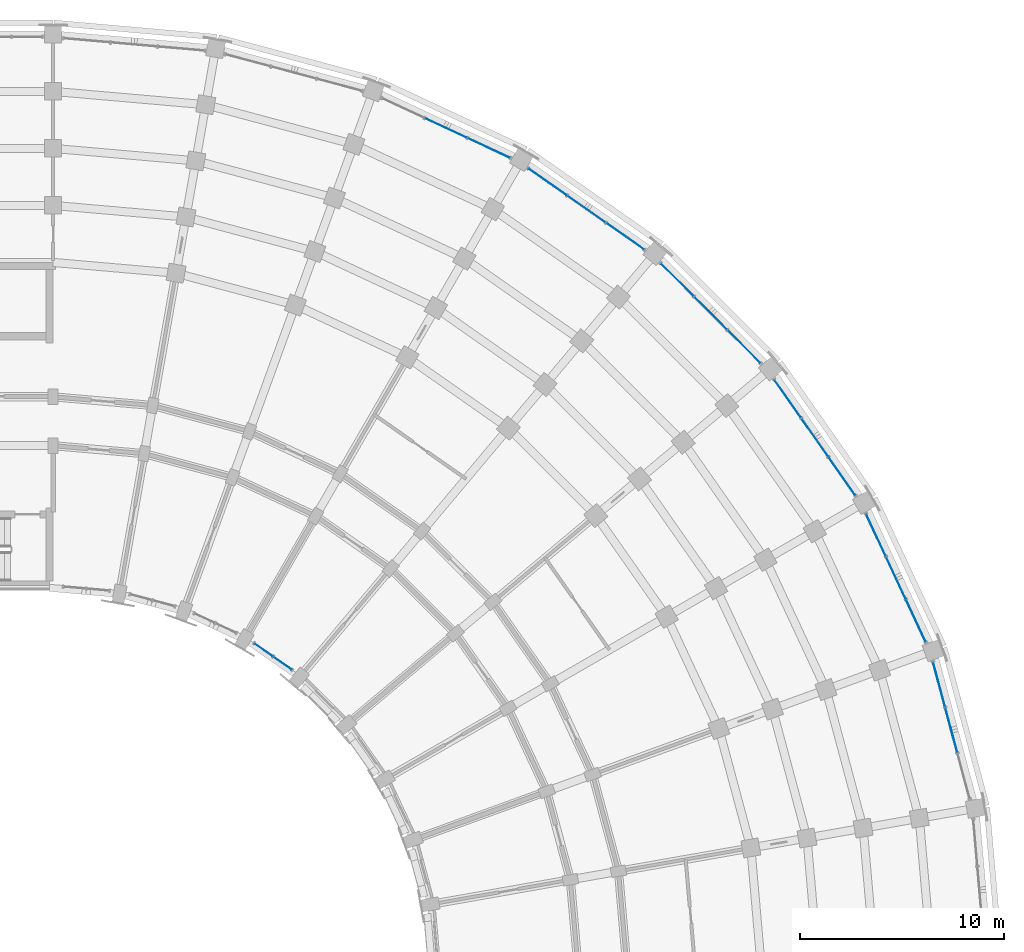
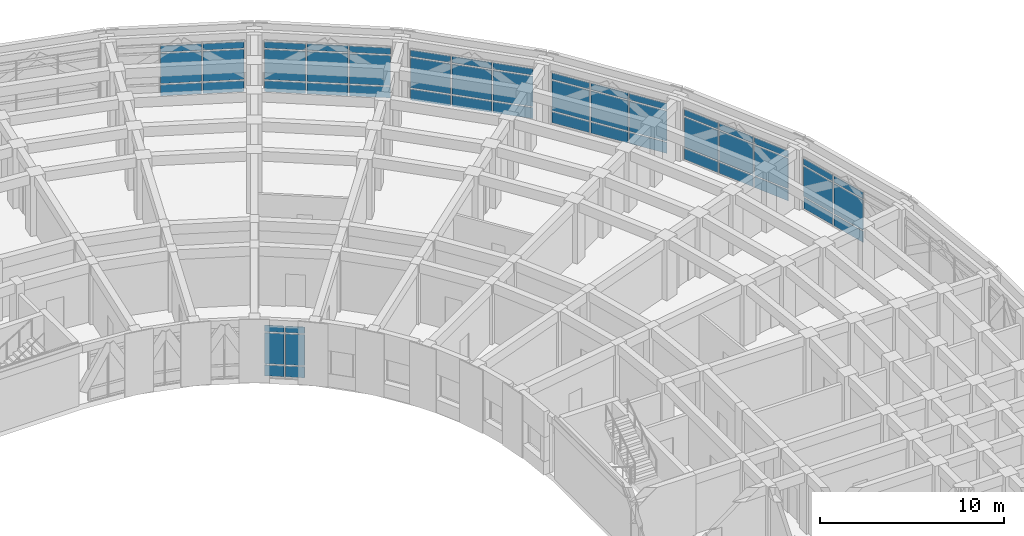
# One storey, part 54 of 97: 54 plates, 7 elements without a shape of their own.
"""IFC4 building model written with IfcOpenShell, lengths in metres."""

from ifc_helpers import new_model, si_unit, direction, frame, origin, origin_2d, place, context, subcontext, project, spatial, rectangle, extrude, material, layer, layer_set, type_object, element, aggregate, save


model = new_model("IFC4")

# Units and contexts
model_context = context("Model", 3, precision=1e-05, world=origin(), true_north=direction((0.0, 1.0)))
body_context = subcontext(model_context, "Body", "Model", "MODEL_VIEW")
ifc_project = project(units=[si_unit("LENGTHUNIT", "METRE"), si_unit("AREAUNIT", "SQUARE_METRE"), si_unit("VOLUMEUNIT", "CUBIC_METRE"), si_unit("PLANEANGLEUNIT", "RADIAN"), si_unit("MASSUNIT", "GRAM", prefix="KILO")], contexts=[model_context])

# Site, building, storey
site_placement = place(None, origin())
site = spatial("IfcSite", under=ifc_project, at=site_placement, CompositionType="ELEMENT")
building_placement = place(site_placement, origin())
building = spatial("IfcBuilding", under=site, at=building_placement, Name="Kiranvali Square Residences", CompositionType="ELEMENT")
storey_placement = place(building_placement, frame((0.0, 0.0, 4.5)))
storey = spatial("IfcBuildingStorey", under=building, at=storey_placement, Name="L01", CompositionType="ELEMENT", Elevation=4.5)

# Curtain wall, plates
ifc_material_1 = material(Name="Anodised bronze aluminium framing", Category="aluminium")
curtain_wall_type = type_object("IfcCurtainWallType", Name="CW-RET-SHOP", PredefinedType="USERDEFINED", material=ifc_material_1)
curtain_wall_1_placement = place(storey_placement, origin())
curtain_wall_1 = element("IfcCurtainWall", 1, at=curtain_wall_1_placement, inside=storey, type_object=curtain_wall_type, Name="Block B L01 rounded-corner arcade curtain wall 3", ObjectType="CURTAIN WALL", PredefinedType="USERDEFINED")
ifc_material_2 = material(Name="Solar-control low-e double glazing", Category="glass")
ifc_layer_1 = layer(ifc_material_2, 0.028076171875)
ifc_layer_set_1 = layer_set([ifc_layer_1], Name="Solar-control low-e double glazing")
plate_type_1 = type_object("IfcPlateType", Name="PLT-CW-GLZ", PredefinedType="CURTAIN_PANEL", material=ifc_layer_set_1)
plate_1_placement = place(storey_placement, frame((139.10302734375, 129.195556640625, 0.889892578125), z_axis=(0.0, 0.0, 1.0), x_axis=(0.906307787037, -0.422618261741, 0.0)))
plate_1 = element("IfcPlate", 2, at=plate_1_placement, type_object=plate_type_1, Name="CW-B-L01-CRV-02 glazed panel 2.2", PredefinedType="CURTAIN_PANEL", context=body_context, shape_type="SweptSolid", body=[
    extrude(rectangle(XDim=2.239501953125, YDim=0.028076171875, at=origin_2d()), origin(), (0.0, 0.0, 1.0), 2.0),
])
plate_2_placement = place(storey_placement, frame((139.10302734375, 129.195556640625, 2.97021484375), z_axis=(0.0, 0.0, 1.0), x_axis=(0.906307787037, -0.422618261741, 0.0)))
plate_2 = element("IfcPlate", 3, at=plate_2_placement, type_object=plate_type_1, Name="CW-B-L01-CRV-02 glazed panel 2.3", PredefinedType="CURTAIN_PANEL", context=body_context, shape_type="SweptSolid", body=[
    extrude(rectangle(XDim=2.239501953125, YDim=0.028076171875, at=origin_2d()), origin(), (0.0, 0.0, 1.0), 0.429931640625),
])
plate_3_placement = place(storey_placement, frame((141.205078125, 128.21533203125, 0.889892578125), z_axis=(0.0, 0.0, 1.0), x_axis=(0.906307787037, -0.422618261741, 0.0)))
plate_3 = element("IfcPlate", 4, at=plate_3_placement, type_object=plate_type_1, Name="CW-B-L01-CRV-02 glazed panel 3.2", PredefinedType="CURTAIN_PANEL", context=body_context, shape_type="SweptSolid", body=[
    extrude(rectangle(XDim=2.239501953125, YDim=0.028076171875, at=origin_2d()), origin(), (0.0, 0.0, 1.0), 2.0),
])
plate_4_placement = place(storey_placement, frame((141.205078125, 128.21533203125, 2.97021484375), z_axis=(0.0, 0.0, 1.0), x_axis=(0.906307787037, -0.422618261741, 0.0)))
plate_4 = element("IfcPlate", 5, at=plate_4_placement, type_object=plate_type_1, Name="CW-B-L01-CRV-02 glazed panel 3.3", PredefinedType="CURTAIN_PANEL", context=body_context, shape_type="SweptSolid", body=[
    extrude(rectangle(XDim=2.239501953125, YDim=0.028076171875, at=origin_2d()), origin(), (0.0, 0.0, 1.0), 0.429931640625),
])

curtain_wall_2_placement = place(storey_placement, origin())
curtain_wall_2 = element("IfcCurtainWall", 6, at=curtain_wall_2_placement, inside=storey, type_object=curtain_wall_type, Name="Block B L01 rounded-corner arcade curtain wall 4", ObjectType="CURTAIN WALL", PredefinedType="USERDEFINED")
plate_5_placement = place(storey_placement, frame((144.09814453125, 126.545166015625, 0.889892578125), z_axis=(0.0, 0.0, 1.0), x_axis=(0.819152044289, -0.573576436351, 0.0)))
plate_5 = element("IfcPlate", 7, at=plate_5_placement, type_object=plate_type_1, Name="CW-B-L01-CRV-03 glazed panel 1.2", PredefinedType="CURTAIN_PANEL", context=body_context, shape_type="SweptSolid", body=[
    extrude(rectangle(XDim=2.239501953125, YDim=0.028076171875, at=origin_2d()), origin(), (0.0, 0.0, 1.0), 2.0),
])
plate_6_placement = place(storey_placement, frame((144.09814453125, 126.545166015625, 2.97021484375), z_axis=(0.0, 0.0, 1.0), x_axis=(0.819152044289, -0.573576436351, 0.0)))
plate_6 = element("IfcPlate", 8, at=plate_6_placement, type_object=plate_type_1, Name="CW-B-L01-CRV-03 glazed panel 1.3", PredefinedType="CURTAIN_PANEL", context=body_context, shape_type="SweptSolid", body=[
    extrude(rectangle(XDim=2.239501953125, YDim=0.028076171875, at=origin_2d()), origin(), (0.0, 0.0, 1.0), 0.429931640625),
])
plate_7_placement = place(storey_placement, frame((145.998046875, 125.21484375, 0.889892578125), z_axis=(0.0, 0.0, 1.0), x_axis=(0.819152044289, -0.573576436351, 0.0)))
plate_7 = element("IfcPlate", 9, at=plate_7_placement, type_object=plate_type_1, Name="CW-B-L01-CRV-03 glazed panel 2.2", PredefinedType="CURTAIN_PANEL", context=body_context, shape_type="SweptSolid", body=[
    extrude(rectangle(XDim=2.239501953125, YDim=0.028076171875, at=origin_2d()), origin(), (0.0, 0.0, 1.0), 2.0),
])
plate_8_placement = place(storey_placement, frame((145.998046875, 125.21484375, 2.97021484375), z_axis=(0.0, 0.0, 1.0), x_axis=(0.819152044289, -0.573576436351, 0.0)))
plate_8 = element("IfcPlate", 10, at=plate_8_placement, type_object=plate_type_1, Name="CW-B-L01-CRV-03 glazed panel 2.3", PredefinedType="CURTAIN_PANEL", context=body_context, shape_type="SweptSolid", body=[
    extrude(rectangle(XDim=2.239501953125, YDim=0.028076171875, at=origin_2d()), origin(), (0.0, 0.0, 1.0), 0.429931640625),
])
plate_9_placement = place(storey_placement, frame((147.89794921875, 123.88427734375, 0.889892578125), z_axis=(0.0, 0.0, 1.0), x_axis=(0.819152044289, -0.573576436351, 0.0)))
plate_9 = element("IfcPlate", 11, at=plate_9_placement, type_object=plate_type_1, Name="CW-B-L01-CRV-03 glazed panel 3.2", PredefinedType="CURTAIN_PANEL", context=body_context, shape_type="SweptSolid", body=[
    extrude(rectangle(XDim=2.239501953125, YDim=0.028076171875, at=origin_2d()), origin(), (0.0, 0.0, 1.0), 2.0),
])
plate_10_placement = place(storey_placement, frame((147.89794921875, 123.88427734375, 2.97021484375), z_axis=(0.0, 0.0, 1.0), x_axis=(0.819152044289, -0.573576436351, 0.0)))
plate_10 = element("IfcPlate", 12, at=plate_10_placement, type_object=plate_type_1, Name="CW-B-L01-CRV-03 glazed panel 3.3", PredefinedType="CURTAIN_PANEL", context=body_context, shape_type="SweptSolid", body=[
    extrude(rectangle(XDim=2.239501953125, YDim=0.028076171875, at=origin_2d()), origin(), (0.0, 0.0, 1.0), 0.429931640625),
])

curtain_wall_3_placement = place(storey_placement, origin())
curtain_wall_3 = element("IfcCurtainWall", 13, at=curtain_wall_3_placement, inside=storey, type_object=curtain_wall_type, Name="Block B L01 rounded-corner arcade curtain wall 5", ObjectType="CURTAIN WALL", PredefinedType="USERDEFINED")
plate_11_placement = place(storey_placement, frame((150.45703125, 121.737060546875, 0.889892578125), z_axis=(0.0, 0.0, 1.0), x_axis=(0.707106781187, -0.707106781187, 0.0)))
plate_11 = element("IfcPlate", 14, at=plate_11_placement, type_object=plate_type_1, Name="CW-B-L01-CRV-04 glazed panel 1.2", PredefinedType="CURTAIN_PANEL", context=body_context, shape_type="SweptSolid", body=[
    extrude(rectangle(XDim=2.239501953125, YDim=0.028076171875, at=origin_2d()), origin(), (0.0, 0.0, 1.0), 2.0),
])
plate_12_placement = place(storey_placement, frame((150.45703125, 121.737060546875, 2.97021484375), z_axis=(0.0, 0.0, 1.0), x_axis=(0.707106781187, -0.707106781187, 0.0)))
plate_12 = element("IfcPlate", 15, at=plate_12_placement, type_object=plate_type_1, Name="CW-B-L01-CRV-04 glazed panel 1.3", PredefinedType="CURTAIN_PANEL", context=body_context, shape_type="SweptSolid", body=[
    extrude(rectangle(XDim=2.239501953125, YDim=0.028076171875, at=origin_2d()), origin(), (0.0, 0.0, 1.0), 0.429931640625),
])
plate_13_placement = place(storey_placement, frame((152.09716796875, 120.09716796875, 0.889892578125), z_axis=(0.0, 0.0, 1.0), x_axis=(0.707106781187, -0.707106781187, 0.0)))
plate_13 = element("IfcPlate", 16, at=plate_13_placement, type_object=plate_type_1, Name="CW-B-L01-CRV-04 glazed panel 2.2", PredefinedType="CURTAIN_PANEL", context=body_context, shape_type="SweptSolid", body=[
    extrude(rectangle(XDim=2.239501953125, YDim=0.028076171875, at=origin_2d()), origin(), (0.0, 0.0, 1.0), 2.0),
])
plate_14_placement = place(storey_placement, frame((152.09716796875, 120.09716796875, 2.97021484375), z_axis=(0.0, 0.0, 1.0), x_axis=(0.707106781187, -0.707106781187, 0.0)))
plate_14 = element("IfcPlate", 17, at=plate_14_placement, type_object=plate_type_1, Name="CW-B-L01-CRV-04 glazed panel 2.3", PredefinedType="CURTAIN_PANEL", context=body_context, shape_type="SweptSolid", body=[
    extrude(rectangle(XDim=2.239501953125, YDim=0.028076171875, at=origin_2d()), origin(), (0.0, 0.0, 1.0), 0.429931640625),
])
plate_15_placement = place(storey_placement, frame((153.737060546875, 118.45703125, 0.889892578125), z_axis=(0.0, 0.0, 1.0), x_axis=(0.707106781187, -0.707106781187, 0.0)))
plate_15 = element("IfcPlate", 18, at=plate_15_placement, type_object=plate_type_1, Name="CW-B-L01-CRV-04 glazed panel 3.2", PredefinedType="CURTAIN_PANEL", context=body_context, shape_type="SweptSolid", body=[
    extrude(rectangle(XDim=2.239501953125, YDim=0.028076171875, at=origin_2d()), origin(), (0.0, 0.0, 1.0), 2.0),
])
plate_16_placement = place(storey_placement, frame((153.737060546875, 118.45703125, 2.97021484375), z_axis=(0.0, 0.0, 1.0), x_axis=(0.707106781187, -0.707106781187, 0.0)))
plate_16 = element("IfcPlate", 19, at=plate_16_placement, type_object=plate_type_1, Name="CW-B-L01-CRV-04 glazed panel 3.3", PredefinedType="CURTAIN_PANEL", context=body_context, shape_type="SweptSolid", body=[
    extrude(rectangle(XDim=2.239501953125, YDim=0.028076171875, at=origin_2d()), origin(), (0.0, 0.0, 1.0), 0.429931640625),
])

curtain_wall_4_placement = place(storey_placement, origin())
curtain_wall_4 = element("IfcCurtainWall", 20, at=curtain_wall_4_placement, inside=storey, type_object=curtain_wall_type, Name="Block B L01 rounded-corner arcade curtain wall 6", ObjectType="CURTAIN WALL", PredefinedType="USERDEFINED")
plate_17_placement = place(storey_placement, frame((155.88427734375, 115.89794921875, 0.889892578125), z_axis=(0.0, 0.0, 1.0), x_axis=(0.573576436351, -0.819152044289, 0.0)))
plate_17 = element("IfcPlate", 21, at=plate_17_placement, type_object=plate_type_1, Name="CW-B-L01-CRV-05 glazed panel 1.2", PredefinedType="CURTAIN_PANEL", context=body_context, shape_type="SweptSolid", body=[
    extrude(rectangle(XDim=2.239501953125, YDim=0.028076171875, at=origin_2d()), origin(), (0.0, 0.0, 1.0), 2.0),
])
plate_18_placement = place(storey_placement, frame((155.88427734375, 115.89794921875, 2.97021484375), z_axis=(0.0, 0.0, 1.0), x_axis=(0.573576436351, -0.819152044289, 0.0)))
plate_18 = element("IfcPlate", 22, at=plate_18_placement, type_object=plate_type_1, Name="CW-B-L01-CRV-05 glazed panel 1.3", PredefinedType="CURTAIN_PANEL", context=body_context, shape_type="SweptSolid", body=[
    extrude(rectangle(XDim=2.239501953125, YDim=0.028076171875, at=origin_2d()), origin(), (0.0, 0.0, 1.0), 0.429931640625),
])
plate_19_placement = place(storey_placement, frame((157.21484375, 113.998046875, 0.889892578125), z_axis=(0.0, 0.0, 1.0), x_axis=(0.573576436351, -0.819152044289, 0.0)))
plate_19 = element("IfcPlate", 23, at=plate_19_placement, type_object=plate_type_1, Name="CW-B-L01-CRV-05 glazed panel 2.2", PredefinedType="CURTAIN_PANEL", context=body_context, shape_type="SweptSolid", body=[
    extrude(rectangle(XDim=2.239501953125, YDim=0.028076171875, at=origin_2d()), origin(), (0.0, 0.0, 1.0), 2.0),
])
plate_20_placement = place(storey_placement, frame((157.21484375, 113.998046875, 2.97021484375), z_axis=(0.0, 0.0, 1.0), x_axis=(0.573576436351, -0.819152044289, 0.0)))
plate_20 = element("IfcPlate", 24, at=plate_20_placement, type_object=plate_type_1, Name="CW-B-L01-CRV-05 glazed panel 2.3", PredefinedType="CURTAIN_PANEL", context=body_context, shape_type="SweptSolid", body=[
    extrude(rectangle(XDim=2.239501953125, YDim=0.028076171875, at=origin_2d()), origin(), (0.0, 0.0, 1.0), 0.429931640625),
])
plate_21_placement = place(storey_placement, frame((158.545166015625, 112.09814453125, 0.889892578125), z_axis=(0.0, 0.0, 1.0), x_axis=(0.573576436351, -0.819152044289, 0.0)))
plate_21 = element("IfcPlate", 25, at=plate_21_placement, type_object=plate_type_1, Name="CW-B-L01-CRV-05 glazed panel 3.2", PredefinedType="CURTAIN_PANEL", context=body_context, shape_type="SweptSolid", body=[
    extrude(rectangle(XDim=2.239501953125, YDim=0.028076171875, at=origin_2d()), origin(), (0.0, 0.0, 1.0), 2.0),
])
plate_22_placement = place(storey_placement, frame((158.545166015625, 112.09814453125, 2.97021484375), z_axis=(0.0, 0.0, 1.0), x_axis=(0.573576436351, -0.819152044289, 0.0)))
plate_22 = element("IfcPlate", 26, at=plate_22_placement, type_object=plate_type_1, Name="CW-B-L01-CRV-05 glazed panel 3.3", PredefinedType="CURTAIN_PANEL", context=body_context, shape_type="SweptSolid", body=[
    extrude(rectangle(XDim=2.239501953125, YDim=0.028076171875, at=origin_2d()), origin(), (0.0, 0.0, 1.0), 0.429931640625),
])

curtain_wall_5_placement = place(storey_placement, origin())
curtain_wall_5 = element("IfcCurtainWall", 27, at=curtain_wall_5_placement, inside=storey, type_object=curtain_wall_type, Name="Block B L01 rounded-corner arcade curtain wall 7", ObjectType="CURTAIN WALL", PredefinedType="USERDEFINED")
plate_23_placement = place(storey_placement, frame((160.21533203125, 109.205078125, 0.889892578125), z_axis=(0.0, 0.0, 1.0), x_axis=(0.422618261741, -0.906307787037, 0.0)))
plate_23 = element("IfcPlate", 28, at=plate_23_placement, type_object=plate_type_1, Name="CW-B-L01-CRV-06 glazed panel 1.2", PredefinedType="CURTAIN_PANEL", context=body_context, shape_type="SweptSolid", body=[
    extrude(rectangle(XDim=2.239501953125, YDim=0.028076171875, at=origin_2d()), origin(), (0.0, 0.0, 1.0), 2.0),
])
plate_24_placement = place(storey_placement, frame((160.21533203125, 109.205078125, 2.97021484375), z_axis=(0.0, 0.0, 1.0), x_axis=(0.422618261741, -0.906307787037, 0.0)))
plate_24 = element("IfcPlate", 29, at=plate_24_placement, type_object=plate_type_1, Name="CW-B-L01-CRV-06 glazed panel 1.3", PredefinedType="CURTAIN_PANEL", context=body_context, shape_type="SweptSolid", body=[
    extrude(rectangle(XDim=2.239501953125, YDim=0.028076171875, at=origin_2d()), origin(), (0.0, 0.0, 1.0), 0.429931640625),
])
plate_25_placement = place(storey_placement, frame((161.195556640625, 107.10302734375, 0.889892578125), z_axis=(0.0, 0.0, 1.0), x_axis=(0.422618261741, -0.906307787037, 0.0)))
plate_25 = element("IfcPlate", 30, at=plate_25_placement, type_object=plate_type_1, Name="CW-B-L01-CRV-06 glazed panel 2.2", PredefinedType="CURTAIN_PANEL", context=body_context, shape_type="SweptSolid", body=[
    extrude(rectangle(XDim=2.239501953125, YDim=0.028076171875, at=origin_2d()), origin(), (0.0, 0.0, 1.0), 2.0),
])
plate_26_placement = place(storey_placement, frame((161.195556640625, 107.10302734375, 2.97021484375), z_axis=(0.0, 0.0, 1.0), x_axis=(0.422618261741, -0.906307787037, 0.0)))
plate_26 = element("IfcPlate", 31, at=plate_26_placement, type_object=plate_type_1, Name="CW-B-L01-CRV-06 glazed panel 2.3", PredefinedType="CURTAIN_PANEL", context=body_context, shape_type="SweptSolid", body=[
    extrude(rectangle(XDim=2.239501953125, YDim=0.028076171875, at=origin_2d()), origin(), (0.0, 0.0, 1.0), 0.429931640625),
])
plate_27_placement = place(storey_placement, frame((162.17578125, 105.0009765625, 0.889892578125), z_axis=(0.0, 0.0, 1.0), x_axis=(0.422618261741, -0.906307787037, 0.0)))
plate_27 = element("IfcPlate", 32, at=plate_27_placement, type_object=plate_type_1, Name="CW-B-L01-CRV-06 glazed panel 3.2", PredefinedType="CURTAIN_PANEL", context=body_context, shape_type="SweptSolid", body=[
    extrude(rectangle(XDim=2.239501953125, YDim=0.028076171875, at=origin_2d()), origin(), (0.0, 0.0, 1.0), 2.0),
])
plate_28_placement = place(storey_placement, frame((162.17578125, 105.0009765625, 2.97021484375), z_axis=(0.0, 0.0, 1.0), x_axis=(0.422618261741, -0.906307787037, 0.0)))
plate_28 = element("IfcPlate", 33, at=plate_28_placement, type_object=plate_type_1, Name="CW-B-L01-CRV-06 glazed panel 3.3", PredefinedType="CURTAIN_PANEL", context=body_context, shape_type="SweptSolid", body=[
    extrude(rectangle(XDim=2.239501953125, YDim=0.028076171875, at=origin_2d()), origin(), (0.0, 0.0, 1.0), 0.429931640625),
])

curtain_wall_6_placement = place(storey_placement, origin())
curtain_wall_6 = element("IfcCurtainWall", 34, at=curtain_wall_6_placement, inside=storey, type_object=curtain_wall_type, Name="Block B L01 rounded-corner arcade curtain wall 8", ObjectType="CURTAIN WALL", PredefinedType="USERDEFINED")
plate_29_placement = place(storey_placement, frame((163.318359375, 101.862060546875, 0.889892578125), z_axis=(0.0, 0.0, 1.0), x_axis=(0.258819045103, -0.965925826289, 0.0)))
plate_29 = element("IfcPlate", 35, at=plate_29_placement, type_object=plate_type_1, Name="CW-B-L01-CRV-07 glazed panel 1.2", PredefinedType="CURTAIN_PANEL", context=body_context, shape_type="SweptSolid", body=[
    extrude(rectangle(XDim=2.239501953125, YDim=0.028076171875, at=origin_2d()), origin(), (0.0, 0.0, 1.0), 2.0),
])
plate_30_placement = place(storey_placement, frame((163.318359375, 101.862060546875, 2.97021484375), z_axis=(0.0, 0.0, 1.0), x_axis=(0.258819045103, -0.965925826289, 0.0)))
plate_30 = element("IfcPlate", 36, at=plate_30_placement, type_object=plate_type_1, Name="CW-B-L01-CRV-07 glazed panel 1.3", PredefinedType="CURTAIN_PANEL", context=body_context, shape_type="SweptSolid", body=[
    extrude(rectangle(XDim=2.239501953125, YDim=0.028076171875, at=origin_2d()), origin(), (0.0, 0.0, 1.0), 0.429931640625),
])
plate_31_placement = place(storey_placement, frame((163.918701171875, 99.62158203125, 0.889892578125), z_axis=(0.0, 0.0, 1.0), x_axis=(0.258819045103, -0.965925826289, 0.0)))
plate_31 = element("IfcPlate", 37, at=plate_31_placement, type_object=plate_type_1, Name="CW-B-L01-CRV-07 glazed panel 2.2", PredefinedType="CURTAIN_PANEL", context=body_context, shape_type="SweptSolid", body=[
    extrude(rectangle(XDim=2.239501953125, YDim=0.028076171875, at=origin_2d()), origin(), (0.0, 0.0, 1.0), 2.0),
])
plate_32_placement = place(storey_placement, frame((163.918701171875, 99.62158203125, 2.97021484375), z_axis=(0.0, 0.0, 1.0), x_axis=(0.258819045103, -0.965925826289, 0.0)))
plate_32 = element("IfcPlate", 38, at=plate_32_placement, type_object=plate_type_1, Name="CW-B-L01-CRV-07 glazed panel 2.3", PredefinedType="CURTAIN_PANEL", context=body_context, shape_type="SweptSolid", body=[
    extrude(rectangle(XDim=2.239501953125, YDim=0.028076171875, at=origin_2d()), origin(), (0.0, 0.0, 1.0), 0.429931640625),
])

curtain_wall_7_placement = place(storey_placement, origin())
curtain_wall_7 = element("IfcCurtainWall", 39, at=curtain_wall_7_placement, inside=storey, type_object=curtain_wall_type, Name="Block B L01 garden foyer curtain wall 4", ObjectType="CURTAIN WALL", PredefinedType="USERDEFINED")
plate_33_placement = place(storey_placement, frame((130.144775390625, 103.566162109375, 0.89013671875), z_axis=(0.0, 0.0, 1.0), x_axis=(0.819152044289, -0.573576436351, 0.0)))
plate_33 = element("IfcPlate", 40, at=plate_33_placement, type_object=plate_type_1, Name="CW-B-L01-GDN-03 glazed panel 1.2", PredefinedType="CURTAIN_PANEL", context=body_context, shape_type="SweptSolid", body=[
    extrude(rectangle(XDim=1.05859375, YDim=0.028076171875, at=origin_2d()), origin(), (0.0, 0.0, 1.0), 2.050048828125),
])
plate_34_placement = place(storey_placement, frame((130.144775390625, 103.566162109375, 3.02001953125), z_axis=(0.0, 0.0, 1.0), x_axis=(0.819152044289, -0.573576436351, 0.0)))
plate_34 = element("IfcPlate", 41, at=plate_34_placement, type_object=plate_type_1, Name="CW-B-L01-GDN-03 glazed panel 1.3", PredefinedType="CURTAIN_PANEL", context=body_context, shape_type="SweptSolid", body=[
    extrude(rectangle(XDim=1.05859375, YDim=0.028076171875, at=origin_2d()), origin(), (0.0, 0.0, 1.0), 0.429931640625),
])
plate_35_placement = place(storey_placement, frame((131.077392578125, 102.913330078125, 0.89013671875), z_axis=(0.0, 0.0, 1.0), x_axis=(0.819152044289, -0.573576436351, 0.0)))
plate_35 = element("IfcPlate", 42, at=plate_35_placement, type_object=plate_type_1, Name="CW-B-L01-GDN-03 glazed panel 2.2", PredefinedType="CURTAIN_PANEL", context=body_context, shape_type="SweptSolid", body=[
    extrude(rectangle(XDim=1.05859375, YDim=0.028076171875, at=origin_2d()), origin(), (0.0, 0.0, 1.0), 2.050048828125),
])
plate_36_placement = place(storey_placement, frame((131.077392578125, 102.913330078125, 3.02001953125), z_axis=(0.0, 0.0, 1.0), x_axis=(0.819152044289, -0.573576436351, 0.0)))
plate_36 = element("IfcPlate", 43, at=plate_36_placement, type_object=plate_type_1, Name="CW-B-L01-GDN-03 glazed panel 2.3", PredefinedType="CURTAIN_PANEL", context=body_context, shape_type="SweptSolid", body=[
    extrude(rectangle(XDim=1.05859375, YDim=0.028076171875, at=origin_2d()), origin(), (0.0, 0.0, 1.0), 0.429931640625),
])

# Plate
ifc_material_3 = material(Name="Honed Porbandar limestone ashlar facade cladding", Category="masonry")
ifc_layer_2 = layer(ifc_material_3, 0.02392578125)
ifc_layer_set_2 = layer_set([ifc_layer_2], Name="Honed Porbandar limestone ashlar facade cladding")
plate_type_2 = type_object("IfcPlateType", Name="PLT-CW-SPN", PredefinedType="SHEET", material=ifc_layer_set_2)
plate_37_placement = place(storey_placement, frame((139.10302734375, 129.195556640625, 0.080078125), z_axis=(0.0, 0.0, 1.0), x_axis=(0.906307787037, -0.422618261741, 0.0)))
plate_37 = element("IfcPlate", 44, at=plate_37_placement, type_object=plate_type_2, Name="CW-B-L01-CRV-02 spandrel panel 2.1", PredefinedType="SHEET", context=body_context, shape_type="SweptSolid", body=[
    extrude(rectangle(XDim=2.239501953125, YDim=0.02392578125, at=origin_2d()), origin(), (0.0, 0.0, 1.0), 0.72998046875),
])

plate_38_placement = place(storey_placement, frame((141.205078125, 128.21533203125, 0.080078125), z_axis=(0.0, 0.0, 1.0), x_axis=(0.906307787037, -0.422618261741, 0.0)))
plate_38 = element("IfcPlate", 45, at=plate_38_placement, type_object=plate_type_2, Name="CW-B-L01-CRV-02 spandrel panel 3.1", PredefinedType="SHEET", context=body_context, shape_type="SweptSolid", body=[
    extrude(rectangle(XDim=2.239501953125, YDim=0.02392578125, at=origin_2d()), origin(), (0.0, 0.0, 1.0), 0.72998046875),
])

aggregate(curtain_wall_1, [plate_37, plate_1, plate_2, plate_38, plate_3, plate_4])

plate_39_placement = place(storey_placement, frame((144.09814453125, 126.545166015625, 0.080078125), z_axis=(0.0, 0.0, 1.0), x_axis=(0.819152044289, -0.573576436351, 0.0)))
plate_39 = element("IfcPlate", 46, at=plate_39_placement, type_object=plate_type_2, Name="CW-B-L01-CRV-03 spandrel panel 1.1", PredefinedType="SHEET", context=body_context, shape_type="SweptSolid", body=[
    extrude(rectangle(XDim=2.239501953125, YDim=0.02392578125, at=origin_2d()), origin(), (0.0, 0.0, 1.0), 0.72998046875),
])

plate_40_placement = place(storey_placement, frame((145.998046875, 125.21484375, 0.080078125), z_axis=(0.0, 0.0, 1.0), x_axis=(0.819152044289, -0.573576436351, 0.0)))
plate_40 = element("IfcPlate", 47, at=plate_40_placement, type_object=plate_type_2, Name="CW-B-L01-CRV-03 spandrel panel 2.1", PredefinedType="SHEET", context=body_context, shape_type="SweptSolid", body=[
    extrude(rectangle(XDim=2.239501953125, YDim=0.02392578125, at=origin_2d()), origin(), (0.0, 0.0, 1.0), 0.72998046875),
])

plate_41_placement = place(storey_placement, frame((147.89794921875, 123.88427734375, 0.080078125), z_axis=(0.0, 0.0, 1.0), x_axis=(0.819152044289, -0.573576436351, 0.0)))
plate_41 = element("IfcPlate", 48, at=plate_41_placement, type_object=plate_type_2, Name="CW-B-L01-CRV-03 spandrel panel 3.1", PredefinedType="SHEET", context=body_context, shape_type="SweptSolid", body=[
    extrude(rectangle(XDim=2.239501953125, YDim=0.02392578125, at=origin_2d()), origin(), (0.0, 0.0, 1.0), 0.72998046875),
])

aggregate(curtain_wall_2, [plate_39, plate_5, plate_6, plate_40, plate_7, plate_8, plate_41, plate_9, plate_10])

plate_42_placement = place(storey_placement, frame((150.45703125, 121.737060546875, 0.080078125), z_axis=(0.0, 0.0, 1.0), x_axis=(0.707106781187, -0.707106781187, 0.0)))
plate_42 = element("IfcPlate", 49, at=plate_42_placement, type_object=plate_type_2, Name="CW-B-L01-CRV-04 spandrel panel 1.1", PredefinedType="SHEET", context=body_context, shape_type="SweptSolid", body=[
    extrude(rectangle(XDim=2.239501953125, YDim=0.02392578125, at=origin_2d()), origin(), (0.0, 0.0, 1.0), 0.72998046875),
])

plate_43_placement = place(storey_placement, frame((152.09716796875, 120.09716796875, 0.080078125), z_axis=(0.0, 0.0, 1.0), x_axis=(0.707106781187, -0.707106781187, 0.0)))
plate_43 = element("IfcPlate", 50, at=plate_43_placement, type_object=plate_type_2, Name="CW-B-L01-CRV-04 spandrel panel 2.1", PredefinedType="SHEET", context=body_context, shape_type="SweptSolid", body=[
    extrude(rectangle(XDim=2.239501953125, YDim=0.02392578125, at=origin_2d()), origin(), (0.0, 0.0, 1.0), 0.72998046875),
])

plate_44_placement = place(storey_placement, frame((153.737060546875, 118.45703125, 0.080078125), z_axis=(0.0, 0.0, 1.0), x_axis=(0.707106781187, -0.707106781187, 0.0)))
plate_44 = element("IfcPlate", 51, at=plate_44_placement, type_object=plate_type_2, Name="CW-B-L01-CRV-04 spandrel panel 3.1", PredefinedType="SHEET", context=body_context, shape_type="SweptSolid", body=[
    extrude(rectangle(XDim=2.239501953125, YDim=0.02392578125, at=origin_2d()), origin(), (0.0, 0.0, 1.0), 0.72998046875),
])

aggregate(curtain_wall_3, [plate_42, plate_11, plate_12, plate_43, plate_13, plate_14, plate_44, plate_15, plate_16])

plate_45_placement = place(storey_placement, frame((155.88427734375, 115.89794921875, 0.080078125), z_axis=(0.0, 0.0, 1.0), x_axis=(0.573576436351, -0.819152044289, 0.0)))
plate_45 = element("IfcPlate", 52, at=plate_45_placement, type_object=plate_type_2, Name="CW-B-L01-CRV-05 spandrel panel 1.1", PredefinedType="SHEET", context=body_context, shape_type="SweptSolid", body=[
    extrude(rectangle(XDim=2.239501953125, YDim=0.02392578125, at=origin_2d()), origin(), (0.0, 0.0, 1.0), 0.72998046875),
])

plate_46_placement = place(storey_placement, frame((157.21484375, 113.998046875, 0.080078125), z_axis=(0.0, 0.0, 1.0), x_axis=(0.573576436351, -0.819152044289, 0.0)))
plate_46 = element("IfcPlate", 53, at=plate_46_placement, type_object=plate_type_2, Name="CW-B-L01-CRV-05 spandrel panel 2.1", PredefinedType="SHEET", context=body_context, shape_type="SweptSolid", body=[
    extrude(rectangle(XDim=2.239501953125, YDim=0.02392578125, at=origin_2d()), origin(), (0.0, 0.0, 1.0), 0.72998046875),
])

plate_47_placement = place(storey_placement, frame((158.545166015625, 112.09814453125, 0.080078125), z_axis=(0.0, 0.0, 1.0), x_axis=(0.573576436351, -0.819152044289, 0.0)))
plate_47 = element("IfcPlate", 54, at=plate_47_placement, type_object=plate_type_2, Name="CW-B-L01-CRV-05 spandrel panel 3.1", PredefinedType="SHEET", context=body_context, shape_type="SweptSolid", body=[
    extrude(rectangle(XDim=2.239501953125, YDim=0.02392578125, at=origin_2d()), origin(), (0.0, 0.0, 1.0), 0.72998046875),
])

aggregate(curtain_wall_4, [plate_45, plate_17, plate_18, plate_46, plate_19, plate_20, plate_47, plate_21, plate_22])

plate_48_placement = place(storey_placement, frame((160.21533203125, 109.205078125, 0.080078125), z_axis=(0.0, 0.0, 1.0), x_axis=(0.422618261741, -0.906307787037, 0.0)))
plate_48 = element("IfcPlate", 55, at=plate_48_placement, type_object=plate_type_2, Name="CW-B-L01-CRV-06 spandrel panel 1.1", PredefinedType="SHEET", context=body_context, shape_type="SweptSolid", body=[
    extrude(rectangle(XDim=2.239501953125, YDim=0.02392578125, at=origin_2d()), origin(), (0.0, 0.0, 1.0), 0.72998046875),
])

plate_49_placement = place(storey_placement, frame((161.195556640625, 107.10302734375, 0.080078125), z_axis=(0.0, 0.0, 1.0), x_axis=(0.422618261741, -0.906307787037, 0.0)))
plate_49 = element("IfcPlate", 56, at=plate_49_placement, type_object=plate_type_2, Name="CW-B-L01-CRV-06 spandrel panel 2.1", PredefinedType="SHEET", context=body_context, shape_type="SweptSolid", body=[
    extrude(rectangle(XDim=2.239501953125, YDim=0.02392578125, at=origin_2d()), origin(), (0.0, 0.0, 1.0), 0.72998046875),
])

plate_50_placement = place(storey_placement, frame((162.17578125, 105.0009765625, 0.080078125), z_axis=(0.0, 0.0, 1.0), x_axis=(0.422618261741, -0.906307787037, 0.0)))
plate_50 = element("IfcPlate", 57, at=plate_50_placement, type_object=plate_type_2, Name="CW-B-L01-CRV-06 spandrel panel 3.1", PredefinedType="SHEET", context=body_context, shape_type="SweptSolid", body=[
    extrude(rectangle(XDim=2.239501953125, YDim=0.02392578125, at=origin_2d()), origin(), (0.0, 0.0, 1.0), 0.72998046875),
])

aggregate(curtain_wall_5, [plate_48, plate_23, plate_24, plate_49, plate_25, plate_26, plate_50, plate_27, plate_28])

plate_51_placement = place(storey_placement, frame((163.318359375, 101.862060546875, 0.080078125), z_axis=(0.0, 0.0, 1.0), x_axis=(0.258819045103, -0.965925826289, 0.0)))
plate_51 = element("IfcPlate", 58, at=plate_51_placement, type_object=plate_type_2, Name="CW-B-L01-CRV-07 spandrel panel 1.1", PredefinedType="SHEET", context=body_context, shape_type="SweptSolid", body=[
    extrude(rectangle(XDim=2.239501953125, YDim=0.02392578125, at=origin_2d()), origin(), (0.0, 0.0, 1.0), 0.72998046875),
])

plate_52_placement = place(storey_placement, frame((163.918701171875, 99.62158203125, 0.080078125), z_axis=(0.0, 0.0, 1.0), x_axis=(0.258819045103, -0.965925826289, 0.0)))
plate_52 = element("IfcPlate", 59, at=plate_52_placement, type_object=plate_type_2, Name="CW-B-L01-CRV-07 spandrel panel 2.1", PredefinedType="SHEET", context=body_context, shape_type="SweptSolid", body=[
    extrude(rectangle(XDim=2.239501953125, YDim=0.02392578125, at=origin_2d()), origin(), (0.0, 0.0, 1.0), 0.72998046875),
])

aggregate(curtain_wall_6, [plate_51, plate_29, plate_30, plate_52, plate_31, plate_32])

plate_53_placement = place(storey_placement, frame((130.144775390625, 103.566162109375, 0.080078125), z_axis=(0.0, 0.0, 1.0), x_axis=(0.819152044289, -0.573576436351, 0.0)))
plate_53 = element("IfcPlate", 60, at=plate_53_placement, type_object=plate_type_2, Name="CW-B-L01-GDN-03 spandrel panel 1.1", PredefinedType="SHEET", context=body_context, shape_type="SweptSolid", body=[
    extrude(rectangle(XDim=1.05859375, YDim=0.02392578125, at=origin_2d()), origin(), (0.0, 0.0, 1.0), 0.72998046875),
])

plate_54_placement = place(storey_placement, frame((131.077392578125, 102.913330078125, 0.080078125), z_axis=(0.0, 0.0, 1.0), x_axis=(0.819152044289, -0.573576436351, 0.0)))
plate_54 = element("IfcPlate", 61, at=plate_54_placement, type_object=plate_type_2, Name="CW-B-L01-GDN-03 spandrel panel 2.1", PredefinedType="SHEET", context=body_context, shape_type="SweptSolid", body=[
    extrude(rectangle(XDim=1.05859375, YDim=0.02392578125, at=origin_2d()), origin(), (0.0, 0.0, 1.0), 0.72998046875),
])

aggregate(curtain_wall_7, [plate_53, plate_33, plate_34, plate_54, plate_35, plate_36])

save(model, "model.ifc")
